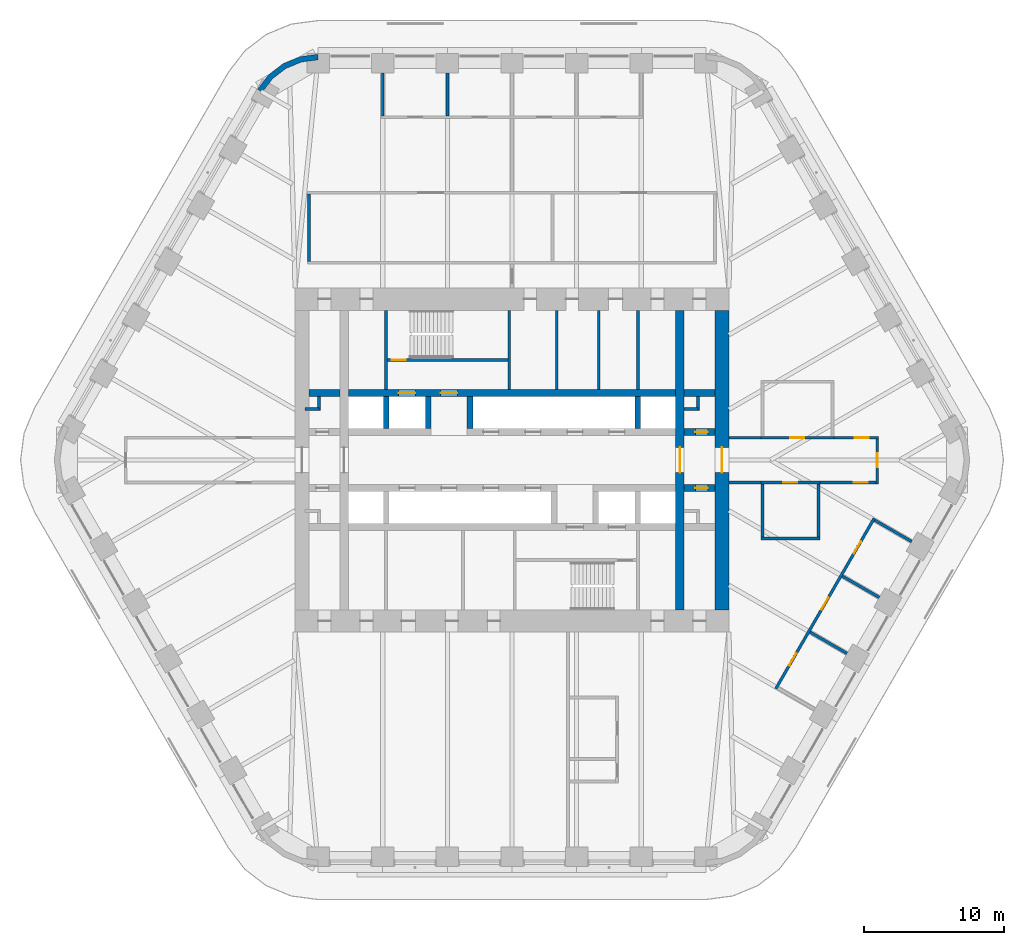
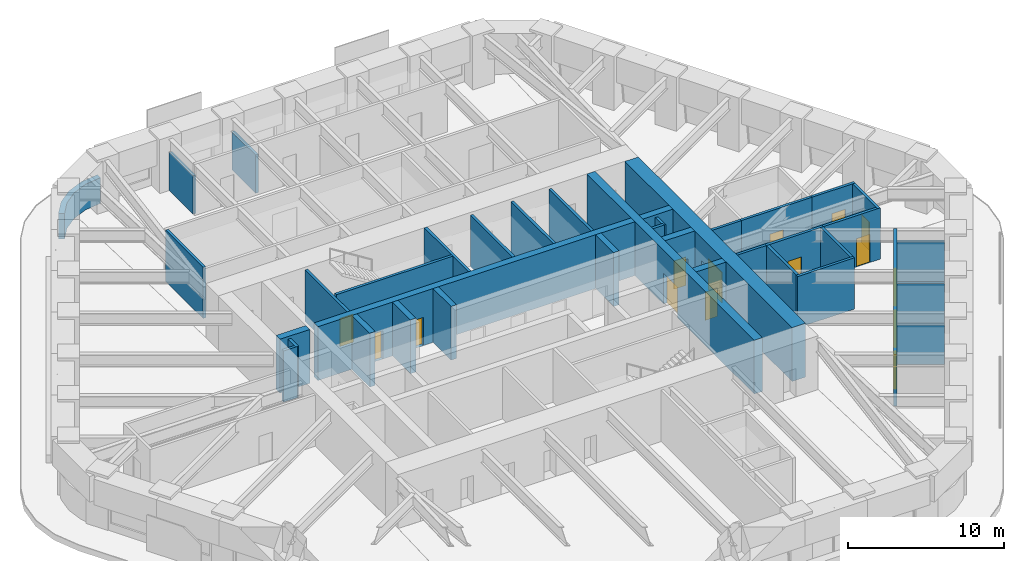
# One storey, part 16 of 20: 39 walls, 15 doors, 15 openings.
"""IFC4 building model written with IfcOpenShell, lengths in metres."""

from ifc_helpers import new_model, si_unit, direction, frame, frame_2d, origin, place, context, subcontext, project, spatial, polyline, rectangle, outline, extrude, material, layer, layer_set, type_object, element, fill, save


model = new_model("IFC4")

# Units and contexts
model_context = context("Model", 3, precision=1e-05, world=origin(), true_north=direction((0.0, 1.0)))
body_context = subcontext(model_context, "Body", "Model", "MODEL_VIEW")
ifc_project = project(units=[si_unit("LENGTHUNIT", "METRE"), si_unit("AREAUNIT", "SQUARE_METRE"), si_unit("VOLUMEUNIT", "CUBIC_METRE"), si_unit("PLANEANGLEUNIT", "RADIAN"), si_unit("MASSUNIT", "GRAM", prefix="KILO")], contexts=[model_context])

# Site, building, storey
site_placement = place(None, origin())
site = spatial("IfcSite", under=ifc_project, at=site_placement, CompositionType="ELEMENT")
building_placement = place(site_placement, origin())
building = spatial("IfcBuilding", under=site, at=building_placement, Name="Tarfa Lantern Tower", CompositionType="ELEMENT")
storey_placement = place(building_placement, frame((0.0, 0.0, 228.10009765625)))
storey = spatial("IfcBuildingStorey", under=building, at=storey_placement, Name="L51", CompositionType="ELEMENT", Elevation=228.10009765625)

# Walls
ifc_material_1 = material(Name="Limestone cladding on blockwork", Category="masonry")
ifc_layer_1 = layer(ifc_material_1, 0.39990234375)
ifc_layer_set_1 = layer_set([ifc_layer_1], Name="EW2 CURVED STONE CORNER 400")
wall_type_1 = type_object("IfcWallType", Name="EW2 CURVED STONE CORNER 400", PredefinedType="SOLIDWALL", material=ifc_layer_set_1)
wall_1_placement = place(storey_placement, origin())
element("IfcWall", 1, at=wall_1_placement, inside=storey, type_object=wall_type_1, Name="Stone corner N-NW", PredefinedType="SOLIDWALL", context=body_context, shape_type="SweptSolid", body=[
    extrude(outline(polyline([(-13.8564453125, 29.0), (-15.150390625, 28.82958984375), (-16.3564453125, 28.330078125), (-17.391845703125, 27.53564453125), (-18.1865234375, 26.5), (-17.840087890625, 26.300048828125), (-17.109130859375, 27.252685546875), (-16.156494140625, 27.983642578125), (-15.046875, 28.443359375), (-13.8564453125, 28.60009765625), (-13.8564453125, 29.0)])), origin(), (0.0, 0.0, 1.0), 2.0),
])
ifc_material_2 = material(Name="Concrete blockwork", Category="masonry")
ifc_layer_2 = layer(ifc_material_2, 0.199951171875)
ifc_layer_set_2 = layer_set([ifc_layer_2], Name="IW1 BLOCKWORK PARTITION 200 EI 120")
wall_type_2 = type_object("IfcWallType", Name="IW1 BLOCKWORK PARTITION 200 EI 120", PredefinedType="PARTITIONING", material=ifc_layer_set_2)
for number, where, z_axis, x_axis, name in (
    (2, (-9.0, 5.050048828125, 0.0), (0.0, 0.0, 1.0), (0.0, 1.0, 0.0), "Core partition"),
    (3, (9.0, 5.050048828125, 0.0), (0.0, 0.0, 1.0), (0.0, 1.0, 0.0), "Core partition"),
    (4, (3.199951171875, 5.050048828125, 0.0), (0.0, 0.0, 1.0), (0.0, 1.0, 0.0), "Core partition"),
    (5, (6.199951171875, 5.050048828125, 0.0), (0.0, 0.0, 1.0), (0.0, 1.0, 0.0), "Core partition"),
):
    element("IfcWall", number, at=place(storey_placement, frame(where, z_axis=z_axis, x_axis=x_axis)), inside=storey, type_object=wall_type_2, Name=name, PredefinedType="PARTITIONING", context=body_context, shape_type="SweptSolid", body=[
        extrude(rectangle(XDim=5.64990234375, YDim=0.199951171875, at=frame_2d((2.824951171875, 0.0))), origin(), (0.0, 0.0, 1.0), 4.0),
    ])
for number, where, z_axis, x_axis, name in (
    (6, (-14.800048828125, 3.64990234375, 0.0), (0.0, 0.0, 1.0), (1.0, 0.0, 0.0), "Core partition"),
    (7, (-13.800048828125, 3.550048828125, 0.0), (0.0, 0.0, 1.0), (0.0, 1.0, 0.0), "Core partition"),
    (8, (12.300048828125, 3.64990234375, 0.0), (0.0, 0.0, 1.0), (1.0, 0.0, 0.0), "Core partition"),
    (9, (13.300048828125, 3.550048828125, 0.0), (0.0, 0.0, 1.0), (0.0, 1.0, 0.0), "Core partition"),
):
    element("IfcWall", number, at=place(storey_placement, frame(where, z_axis=z_axis, x_axis=x_axis)), inside=storey, type_object=wall_type_2, Name=name, PredefinedType="PARTITIONING", context=body_context, shape_type="SweptSolid", body=[
        extrude(rectangle(XDim=1.0, YDim=0.199951171875, at=frame_2d((0.5, 0.0))), origin(), (0.0, 0.0, 1.0), 4.0),
    ])
ifc_material_3 = material(Name="Gypsum board on steel studs", Category="steel")
ifc_layer_3 = layer(ifc_material_3, 0.2099609375)
ifc_layer_set_3 = layer_set([ifc_layer_3], Name="IW2 ACOUSTIC PARTITION 200")
wall_type_3 = type_object("IfcWallType", Name="IW2 ACOUSTIC PARTITION 200", PredefinedType="PARTITIONING", material=ifc_layer_set_3)
wall_2_placement = place(storey_placement, frame((-14.5, 14.199951171875, 0.0), z_axis=(0.0, 0.0, 1.0), x_axis=(0.0, 1.0, 0.0)))
element("IfcWall", 10, at=wall_2_placement, inside=storey, type_object=wall_type_3, Name="Partition", PredefinedType="PARTITIONING", context=body_context, shape_type="SweptSolid", body=[
    extrude(rectangle(XDim=4.800048828125, YDim=0.199951171875, at=frame_2d((2.39990234375, 0.0))), origin(), (0.0, 0.0, 1.0), 4.0),
])
for number, where, z_axis, x_axis, name in (
    (11, (-4.618896484375, 24.60009765625, 0.0), (0.0, 0.0, 1.0), (0.0, 1.0, 0.0), "Partition"),
    (12, (-9.237548828125, 24.60009765625, 0.0), (0.0, 0.0, 1.0), (0.0, 1.0, 0.0), "Partition"),
):
    element("IfcWall", number, at=place(storey_placement, frame(where, z_axis=z_axis, x_axis=x_axis)), inside=storey, type_object=wall_type_3, Name=name, PredefinedType="PARTITIONING", context=body_context, shape_type="SweptSolid", body=[
        extrude(rectangle(XDim=3.0498046875, YDim=0.199951171875, at=frame_2d((1.52490234375, 0.0))), origin(), (0.0, 0.0, 1.0), 2.99169921875),
    ])

# Wall, openings, doors
wall_3_placement = place(storey_placement, frame((18.858154296875, -16.336669921875, 0.0), z_axis=(0.0, 0.0, 1.0), x_axis=(0.500002095642, 0.866024193862, 0.0)))
wall_3 = element("IfcWall", 13, at=wall_3_placement, inside=storey, type_object=wall_type_3, Name="Partition", PredefinedType="PARTITIONING", context=body_context, shape_type="SweptSolid", body=[
    extrude(rectangle(XDim=14.056640625, YDim=0.199951171875, at=frame_2d((7.0283203125, 0.0))), origin(), (0.0, 0.0, 1.0), 4.0),
])
opening_1_placement = place(wall_3_placement, frame((1.909423828125, 0.0, 0.0)))
opening_1 = element("IfcOpeningElement", 14, at=opening_1_placement, cuts=wall_3, Name="Opening D33", PredefinedType="OPENING", context=body_context, shape_type="SweptSolid", body=[
    extrude(rectangle(XDim=1.0, YDim=2.199951171875, at=frame_2d((0.5, 1.10009765625))), frame((0.0, 0.10986328125, 0.0), z_axis=(0.0, -1.0, 0.0), x_axis=(1.0, 0.0, 0.0)), (0.0, 0.0, 1.0), 0.219970703125),
])
opening_2_placement = place(wall_3_placement, frame((6.5283203125, 0.0, 0.0)))
opening_2 = element("IfcOpeningElement", 15, at=opening_2_placement, cuts=wall_3, Name="Opening D34", PredefinedType="OPENING", context=body_context, shape_type="SweptSolid", body=[
    extrude(rectangle(XDim=1.0, YDim=2.199951171875, at=frame_2d((0.5, 1.10009765625))), frame((0.0, 0.10986328125, 0.0), z_axis=(0.0, -1.0, 0.0), x_axis=(1.0, 0.0, 0.0)), (0.0, 0.0, 1.0), 0.219970703125),
])
opening_3_placement = place(wall_3_placement, frame((11.14697265625, 0.0, 0.0)))
opening_3 = element("IfcOpeningElement", 16, at=opening_3_placement, cuts=wall_3, Name="Opening D35", PredefinedType="OPENING", context=body_context, shape_type="SweptSolid", body=[
    extrude(rectangle(XDim=1.0, YDim=2.199951171875, at=frame_2d((0.5, 1.10009765625))), frame((0.0, 0.10986328125, 0.0), z_axis=(0.0, -1.0, 0.0), x_axis=(1.0, 0.0, 0.0)), (0.0, 0.0, 1.0), 0.219970703125),
])
ifc_material_4 = material(Name="Timber door", Category="wood")
door_type_1 = type_object("IfcDoorType", Name="DR1 ROOM DOOR 1000x2200", OperationType="SINGLE_SWING_LEFT", PredefinedType="DOOR", material=ifc_material_4)
door_1_placement = place(opening_1_placement, frame((1.0, 0.0, 0.0), z_axis=(0.0, 0.0, 1.0), x_axis=(-1.0, 0.0, 0.0)))
door_1 = element("IfcDoor", 17, at=door_1_placement, inside=storey, type_object=door_type_1, Name="Office door", OperationType="SINGLE_SWING_LEFT", OverallHeight=2.199951171875, OverallWidth=1.0, PredefinedType="DOOR", context=body_context, shape_type="SweptSolid", body=[
    extrude(rectangle(XDim=1.0, YDim=2.199951171875, at=frame_2d((0.5, 1.10009765625))), frame((0.0, 0.02490234375, 0.0), z_axis=(0.0, -1.0, 0.0), x_axis=(1.0, 0.0, 0.0)), (0.0, 0.0, 1.0), 0.050048828125),
])
fill(opening_1, door_1)
door_2_placement = place(opening_2_placement, frame((1.0, 0.0, 0.0), z_axis=(0.0, 0.0, 1.0), x_axis=(-1.0, 0.0, 0.0)))
door_2 = element("IfcDoor", 18, at=door_2_placement, inside=storey, type_object=door_type_1, Name="Office door", OperationType="SINGLE_SWING_RIGHT", OverallHeight=2.199951171875, OverallWidth=1.0, PredefinedType="DOOR", context=body_context, shape_type="SweptSolid", body=[
    extrude(rectangle(XDim=1.0, YDim=2.199951171875, at=frame_2d((0.5, 1.10009765625))), frame((0.0, 0.02490234375, 0.0), z_axis=(0.0, -1.0, 0.0), x_axis=(1.0, 0.0, 0.0)), (0.0, 0.0, 1.0), 0.050048828125),
])
fill(opening_2, door_2)
door_3_placement = place(opening_3_placement, frame((1.0, 0.0, 0.0), z_axis=(0.0, 0.0, 1.0), x_axis=(-1.0, 0.0, 0.0)))
door_3 = element("IfcDoor", 19, at=door_3_placement, inside=storey, type_object=door_type_1, Name="Office door", OperationType="SINGLE_SWING_RIGHT", OverallHeight=2.199951171875, OverallWidth=1.0, PredefinedType="DOOR", context=body_context, shape_type="SweptSolid", body=[
    extrude(rectangle(XDim=1.0, YDim=2.199951171875, at=frame_2d((0.5, 1.10009765625))), frame((0.0, 0.02490234375, 0.0), z_axis=(0.0, -1.0, 0.0), x_axis=(1.0, 0.0, 0.0)), (0.0, 0.0, 1.0), 0.050048828125),
])
fill(opening_3, door_3)

# Walls
for number, where, z_axis, x_axis, name in (
    (20, (21.30419921875, -12.300048828125, 0.0), (0.0, 0.0, 1.0), (0.866037623948, -0.499978833458, 0.0), "Partition"),
    (21, (23.613525390625, -8.300048828125, 0.0), (0.0, 0.0, 1.0), (0.866037623948, -0.499978833458, 0.0), "Partition"),
    (22, (25.923095703125, -4.300048828125, 0.0), (0.0, 0.0, 1.0), (0.866037623948, -0.499978833458, 0.0), "Partition"),
):
    element("IfcWall", number, at=place(storey_placement, frame(where, z_axis=z_axis, x_axis=x_axis)), inside=storey, type_object=wall_type_3, Name=name, PredefinedType="PARTITIONING", context=body_context, shape_type="SweptSolid", body=[
        extrude(rectangle(XDim=3.050048828125, YDim=0.199951171875, at=frame_2d((1.52490234375, 0.0))), origin(), (0.0, 0.0, 1.0), 3.08154296875),
    ])

# Wall, opening, door
wall_4_placement = place(storey_placement, frame((17.800048828125, 1.60009765625, 0.0), z_axis=(0.0, 0.0, 1.0), x_axis=(1.0, 0.0, 0.0)))
wall_4 = element("IfcWall", 23, at=wall_4_placement, inside=storey, type_object=wall_type_3, Name="Partition", PredefinedType="PARTITIONING", context=body_context, shape_type="SweptSolid", body=[
    extrude(rectangle(XDim=5.199951171875, YDim=0.199951171875, at=frame_2d((2.60009765625, 0.0))), origin(), (0.0, 0.0, 1.0), 4.0),
])
opening_4_placement = place(wall_4_placement, frame((2.10009765625, 0.0, 0.0)))
opening_4 = element("IfcOpeningElement", 24, at=opening_4_placement, cuts=wall_4, Name="Opening D27", PredefinedType="OPENING", context=body_context, shape_type="SweptSolid", body=[
    extrude(rectangle(XDim=1.0, YDim=2.199951171875, at=frame_2d((0.5, 1.10009765625))), frame((0.0, 0.10986328125, 0.0), z_axis=(0.0, -1.0, 0.0), x_axis=(1.0, 0.0, 0.0)), (0.0, 0.0, 1.0), 0.219970703125),
])
door_4_placement = place(opening_4_placement, origin())
door_4 = element("IfcDoor", 25, at=door_4_placement, inside=storey, type_object=door_type_1, Name="Project room door", OperationType="SINGLE_SWING_LEFT", OverallHeight=2.199951171875, OverallWidth=1.0, PredefinedType="DOOR", context=body_context, shape_type="SweptSolid", body=[
    extrude(rectangle(XDim=1.0, YDim=2.199951171875, at=frame_2d((0.5, 1.10009765625))), frame((0.0, 0.02490234375, 0.0), z_axis=(0.0, -1.0, 0.0), x_axis=(1.0, 0.0, 0.0)), (0.0, 0.0, 1.0), 0.050048828125),
])
fill(opening_4, door_4)

wall_5_placement = place(storey_placement, frame((17.800048828125, -1.60009765625, 0.0), z_axis=(0.0, 0.0, 1.0), x_axis=(1.0, 0.0, 0.0)))
wall_5 = element("IfcWall", 26, at=wall_5_placement, inside=storey, type_object=wall_type_3, Name="Partition", PredefinedType="PARTITIONING", context=body_context, shape_type="SweptSolid", body=[
    extrude(rectangle(XDim=4.199951171875, YDim=0.199951171875, at=frame_2d((2.10009765625, 0.0))), origin(), (0.0, 0.0, 1.0), 4.0),
])
opening_5_placement = place(wall_5_placement, frame((1.60009765625, 0.0, 0.0)))
opening_5 = element("IfcOpeningElement", 27, at=opening_5_placement, cuts=wall_5, Name="Opening D28", PredefinedType="OPENING", context=body_context, shape_type="SweptSolid", body=[
    extrude(rectangle(XDim=1.0, YDim=2.199951171875, at=frame_2d((0.5, 1.10009765625))), frame((0.0, 0.10986328125, 0.0), z_axis=(0.0, -1.0, 0.0), x_axis=(1.0, 0.0, 0.0)), (0.0, 0.0, 1.0), 0.219970703125),
])
door_5_placement = place(opening_5_placement, frame((1.0, 0.0, 0.0), z_axis=(0.0, 0.0, 1.0), x_axis=(-1.0, 0.0, 0.0)))
door_5 = element("IfcDoor", 28, at=door_5_placement, inside=storey, type_object=door_type_1, Name="Pantry door", OperationType="SINGLE_SWING_RIGHT", OverallHeight=2.199951171875, OverallWidth=1.0, PredefinedType="DOOR", context=body_context, shape_type="SweptSolid", body=[
    extrude(rectangle(XDim=1.0, YDim=2.199951171875, at=frame_2d((0.5, 1.10009765625))), frame((0.0, 0.02490234375, 0.0), z_axis=(0.0, -1.0, 0.0), x_axis=(1.0, 0.0, 0.0)), (0.0, 0.0, 1.0), 0.050048828125),
])
fill(opening_5, door_5)

# Walls
wall_6_placement = place(storey_placement, frame((17.800048828125, -5.60009765625, 0.0), z_axis=(0.0, 0.0, 1.0), x_axis=(1.0, 0.0, 0.0)))
element("IfcWall", 29, at=wall_6_placement, inside=storey, type_object=wall_type_3, Name="Partition", PredefinedType="PARTITIONING", context=body_context, shape_type="SweptSolid", body=[
    extrude(rectangle(XDim=4.199951171875, YDim=0.199951171875, at=frame_2d((2.10009765625, 0.0))), origin(), (0.0, 0.0, 1.0), 4.0),
])
for number, where, z_axis, x_axis, name in (
    (30, (17.89990234375, -1.699951171875, 0.0), (0.0, 0.0, 1.0), (0.0, -1.0, 0.0), "Partition"),
    (31, (21.89990234375, -1.699951171875, 0.0), (0.0, 0.0, 1.0), (0.0, -1.0, 0.0), "Partition"),
):
    element("IfcWall", number, at=place(storey_placement, frame(where, z_axis=z_axis, x_axis=x_axis)), inside=storey, type_object=wall_type_3, Name=name, PredefinedType="PARTITIONING", context=body_context, shape_type="SweptSolid", body=[
        extrude(rectangle(XDim=3.800048828125, YDim=0.199951171875, at=frame_2d((1.89990234375, 0.0))), origin(), (0.0, 0.0, 1.0), 4.0),
    ])
wall_7_placement = place(storey_placement, frame((15.5, 1.60009765625, 0.0), z_axis=(0.0, 0.0, 1.0), x_axis=(1.0, 0.0, 0.0)))
element("IfcWall", 32, at=wall_7_placement, inside=storey, type_object=wall_type_3, Name="Partition", PredefinedType="PARTITIONING", context=body_context, shape_type="SweptSolid", body=[
    extrude(rectangle(XDim=2.300048828125, YDim=0.199951171875, at=frame_2d((1.14990234375, 0.0))), origin(), (0.0, 0.0, 1.0), 4.0),
])

# Wall, opening, door
wall_8_placement = place(storey_placement, frame((23.0, 1.60009765625, 0.0), z_axis=(0.0, 0.0, 1.0), x_axis=(1.0, 0.0, 0.0)))
wall_8 = element("IfcWall", 33, at=wall_8_placement, inside=storey, type_object=wall_type_3, Name="Partition", PredefinedType="PARTITIONING", context=body_context, shape_type="SweptSolid", body=[
    extrude(rectangle(XDim=3.199951171875, YDim=0.199951171875, at=frame_2d((1.60009765625, 0.0))), origin(), (0.0, 0.0, 1.0), 4.0),
])
opening_6_placement = place(wall_8_placement, frame((1.5, 0.0, 0.0)))
opening_6 = element("IfcOpeningElement", 34, at=opening_6_placement, cuts=wall_8, Name="Opening D41", PredefinedType="OPENING", context=body_context, shape_type="SweptSolid", body=[
    extrude(rectangle(XDim=1.0, YDim=2.199951171875, at=frame_2d((0.5, 1.10009765625))), frame((0.0, 0.10986328125, 0.0), z_axis=(0.0, -1.0, 0.0), x_axis=(1.0, 0.0, 0.0)), (0.0, 0.0, 1.0), 0.219970703125),
])
door_6_placement = place(opening_6_placement, origin())
door_6 = element("IfcDoor", 35, at=door_6_placement, inside=storey, type_object=door_type_1, Name="Corridor door", OperationType="SINGLE_SWING_RIGHT", OverallHeight=2.199951171875, OverallWidth=1.0, PredefinedType="DOOR", context=body_context, shape_type="SweptSolid", body=[
    extrude(rectangle(XDim=1.0, YDim=2.199951171875, at=frame_2d((0.5, 1.10009765625))), frame((0.0, 0.02490234375, 0.0), z_axis=(0.0, -1.0, 0.0), x_axis=(1.0, 0.0, 0.0)), (0.0, 0.0, 1.0), 0.050048828125),
])
fill(opening_6, door_6)

# Wall
wall_9_placement = place(storey_placement, frame((15.5, -1.60009765625, 0.0), z_axis=(0.0, 0.0, 1.0), x_axis=(1.0, 0.0, 0.0)))
element("IfcWall", 36, at=wall_9_placement, inside=storey, type_object=wall_type_3, Name="Partition", PredefinedType="PARTITIONING", context=body_context, shape_type="SweptSolid", body=[
    extrude(rectangle(XDim=2.300048828125, YDim=0.199951171875, at=frame_2d((1.14990234375, 0.0))), origin(), (0.0, 0.0, 1.0), 4.0),
])

# Wall, opening, door
wall_10_placement = place(storey_placement, frame((22.0, -1.60009765625, 0.0), z_axis=(0.0, 0.0, 1.0), x_axis=(1.0, 0.0, 0.0)))
wall_10 = element("IfcWall", 37, at=wall_10_placement, inside=storey, type_object=wall_type_3, Name="Partition", PredefinedType="PARTITIONING", context=body_context, shape_type="SweptSolid", body=[
    extrude(rectangle(XDim=4.199951171875, YDim=0.199951171875, at=frame_2d((2.10009765625, 0.0))), origin(), (0.0, 0.0, 1.0), 4.0),
])
opening_7_placement = place(wall_10_placement, frame((2.43994140625, 0.0, 0.0)))
opening_7 = element("IfcOpeningElement", 38, at=opening_7_placement, cuts=wall_10, Name="Opening D42", PredefinedType="OPENING", context=body_context, shape_type="SweptSolid", body=[
    extrude(rectangle(XDim=1.0, YDim=2.199951171875, at=frame_2d((0.5, 1.10009765625))), frame((0.0, 0.10986328125, 0.0), z_axis=(0.0, -1.0, 0.0), x_axis=(1.0, 0.0, 0.0)), (0.0, 0.0, 1.0), 0.219970703125),
])
door_7_placement = place(opening_7_placement, frame((1.0, 0.0, 0.0), z_axis=(0.0, 0.0, 1.0), x_axis=(-1.0, 0.0, 0.0)))
door_7 = element("IfcDoor", 39, at=door_7_placement, inside=storey, type_object=door_type_1, Name="Corridor door", OperationType="SINGLE_SWING_LEFT", OverallHeight=2.199951171875, OverallWidth=1.0, PredefinedType="DOOR", context=body_context, shape_type="SweptSolid", body=[
    extrude(rectangle(XDim=1.0, YDim=2.199951171875, at=frame_2d((0.5, 1.10009765625))), frame((0.0, 0.02490234375, 0.0), z_axis=(0.0, -1.0, 0.0), x_axis=(1.0, 0.0, 0.0)), (0.0, 0.0, 1.0), 0.050048828125),
])
fill(opening_7, door_7)

wall_11_placement = place(storey_placement, frame((26.10009765625, -1.699951171875, 0.0), z_axis=(0.0, 0.0, 1.0), x_axis=(0.0, 1.0, 0.0)))
wall_11 = element("IfcWall", 40, at=wall_11_placement, inside=storey, type_object=wall_type_3, Name="Partition", PredefinedType="PARTITIONING", context=body_context, shape_type="SweptSolid", body=[
    extrude(rectangle(XDim=3.39990234375, YDim=0.199951171875, at=frame_2d((1.699951171875, 0.0))), origin(), (0.0, 0.0, 1.0), 4.0),
])
opening_8_placement = place(wall_11_placement, frame((1.199951171875, 0.0, 0.0)))
opening_8 = element("IfcOpeningElement", 41, at=opening_8_placement, cuts=wall_11, Name="Opening D40", PredefinedType="OPENING", context=body_context, shape_type="SweptSolid", body=[
    extrude(rectangle(XDim=1.0, YDim=2.199951171875, at=frame_2d((0.5, 1.10009765625))), frame((0.0, 0.10986328125, 0.0), z_axis=(0.0, -1.0, 0.0), x_axis=(1.0, 0.0, 0.0)), (0.0, 0.0, 1.0), 0.219970703125),
])
door_8_placement = place(opening_8_placement, frame((1.0, 0.0, 0.0), z_axis=(0.0, 0.0, 1.0), x_axis=(-1.0, 0.0, 0.0)))
door_8 = element("IfcDoor", 42, at=door_8_placement, inside=storey, type_object=door_type_1, Name="Corridor door", OperationType="SINGLE_SWING_LEFT", OverallHeight=2.199951171875, OverallWidth=1.0, PredefinedType="DOOR", context=body_context, shape_type="SweptSolid", body=[
    extrude(rectangle(XDim=1.0, YDim=2.199951171875, at=frame_2d((0.5, 1.10009765625))), frame((0.0, 0.02490234375, 0.0), z_axis=(0.0, -1.0, 0.0), x_axis=(1.0, 0.0, 0.0)), (0.0, 0.0, 1.0), 0.050048828125),
])
fill(opening_8, door_8)

# Wall
ifc_material_5 = material(Name="Concrete C80/95", Category="concrete")
ifc_layer_4 = layer(ifc_material_5, 0.199951171875)
ifc_layer_set_4 = layer_set([ifc_layer_4], Name="SW12 CORE WALL 200")
wall_type_4 = type_object("IfcWallType", Name="SW12 CORE WALL 200", PredefinedType="SHEAR", material=ifc_layer_set_4)
wall_12_placement = place(storey_placement, frame((-0.199951171875, 5.050048828125, 0.0), z_axis=(0.0, 0.0, 1.0), x_axis=(0.0, 1.0, 0.0)))
element("IfcWall", 43, at=wall_12_placement, inside=storey, type_object=wall_type_4, Name="Core wall stair shaft N", PredefinedType="SHEAR", context=body_context, shape_type="SweptSolid", body=[
    extrude(rectangle(XDim=5.64990234375, YDim=0.199951171875, at=frame_2d((2.824951171875, 0.0))), origin(), (0.0, 0.0, 1.0), 4.199951171875),
])

# Wall, opening, door
wall_13_placement = place(storey_placement, frame((-8.89990234375, 7.14990234375, 0.0), z_axis=(0.0, 0.0, 1.0), x_axis=(1.0, 0.0, 0.0)))
wall_13 = element("IfcWall", 44, at=wall_13_placement, inside=storey, type_object=wall_type_4, Name="Core wall stair partition N", PredefinedType="SHEAR", context=body_context, shape_type="SweptSolid", body=[
    extrude(rectangle(XDim=8.599853515625, YDim=0.199951171875, at=frame_2d((4.2998046875, 0.0))), origin(), (0.0, 0.0, 1.0), 4.199951171875),
])
opening_9_placement = place(wall_13_placement, frame((0.300048828125, 0.0, 0.0)))
opening_9 = element("IfcOpeningElement", 45, at=opening_9_placement, cuts=wall_13, Name="Opening D23", PredefinedType="OPENING", context=body_context, shape_type="SweptSolid", body=[
    extrude(rectangle(XDim=1.0, YDim=2.199951171875, at=frame_2d((0.5, 1.10009765625))), frame((0.0, 0.10986328125, 0.0), z_axis=(0.0, -1.0, 0.0), x_axis=(1.0, 0.0, 0.0)), (0.0, 0.0, 1.0), 0.219970703125),
])
ifc_material_6 = material(Name="Steel fire door", Category="steel")
door_type_2 = type_object("IfcDoorType", Name="DF2 STAIR DOOR 1000x2200", OperationType="SINGLE_SWING_LEFT", PredefinedType="DOOR", material=ifc_material_6)
door_9_placement = place(opening_9_placement, origin())
door_9 = element("IfcDoor", 46, at=door_9_placement, inside=storey, type_object=door_type_2, Name="Stair door", OperationType="SINGLE_SWING_RIGHT", OverallHeight=2.199951171875, OverallWidth=1.0, PredefinedType="DOOR", context=body_context, shape_type="SweptSolid", body=[
    extrude(rectangle(XDim=1.0, YDim=2.199951171875, at=frame_2d((0.5, 1.10009765625))), frame((0.0, 0.02490234375, 0.0), z_axis=(0.0, -1.0, 0.0), x_axis=(1.0, 0.0, 0.0)), (0.0, 0.0, 1.0), 0.050048828125),
])
fill(opening_9, door_9)

ifc_layer_5 = layer(ifc_material_5, 1.0)
ifc_layer_set_5 = layer_set([ifc_layer_5], Name="SW2 CORE WALL 1000")
wall_type_5 = type_object("IfcWallType", Name="SW2 CORE WALL 1000", PredefinedType="SHEAR", material=ifc_layer_set_5)
wall_14_placement = place(storey_placement, frame((15.0, -10.699951171875, 0.0), z_axis=(0.0, 0.0, 1.0), x_axis=(0.0, 1.0, 0.0)))
wall_14 = element("IfcWall", 47, at=wall_14_placement, inside=storey, type_object=wall_type_5, Name="Core wall E", PredefinedType="SHEAR", context=body_context, shape_type="SweptSolid", body=[
    extrude(rectangle(XDim=21.39990234375, YDim=1.0, at=frame_2d((10.699951171875, 0.0))), origin(), (0.0, 0.0, 1.0), 4.199951171875),
])
opening_10_placement = place(wall_14_placement, frame((9.800048828125, 0.0, 0.0)))
opening_10 = element("IfcOpeningElement", 48, at=opening_10_placement, cuts=wall_14, Name="Opening D11", PredefinedType="OPENING", context=body_context, shape_type="SweptSolid", body=[
    extrude(rectangle(XDim=1.800048828125, YDim=2.39990234375, at=frame_2d((0.89990234375, 1.199951171875))), frame((0.0, 0.510009765625, 0.0), z_axis=(0.0, -1.0, 0.0), x_axis=(1.0, 0.0, 0.0)), (0.0, 0.0, 1.0), 1.02001953125),
])
door_type_3 = type_object("IfcDoorType", Name="DL1 LOBBY DOOR 1800x2400", OperationType="DOUBLE_DOOR_SINGLE_SWING", PredefinedType="DOOR", material=ifc_material_6)
door_10_placement = place(opening_10_placement, frame((1.800048828125, 0.0, 0.0), z_axis=(0.0, 0.0, 1.0), x_axis=(-1.0, 0.0, 0.0)))
door_10 = element("IfcDoor", 49, at=door_10_placement, inside=storey, type_object=door_type_3, Name="Lift lobby door", OperationType="DOUBLE_DOOR_SINGLE_SWING", OverallHeight=2.39990234375, OverallWidth=1.800048828125, PredefinedType="DOOR", context=body_context, shape_type="SweptSolid", body=[
    extrude(rectangle(XDim=1.800048828125, YDim=2.39990234375, at=frame_2d((0.89990234375, 1.199951171875))), frame((0.0, 0.02490234375, 0.0), z_axis=(0.0, -1.0, 0.0), x_axis=(1.0, 0.0, 0.0)), (0.0, 0.0, 1.0), 0.050048828125),
])
fill(opening_10, door_10)

ifc_layer_6 = layer(ifc_material_5, 0.5)
ifc_layer_set_6 = layer_set([ifc_layer_6], Name="SW5 CORE WALL 500")
wall_type_6 = type_object("IfcWallType", Name="SW5 CORE WALL 500", PredefinedType="SHEAR", material=ifc_layer_set_6)
wall_15_placement = place(storey_placement, frame((12.300048828125, 2.0, 0.0), z_axis=(0.0, 0.0, 1.0), x_axis=(1.0, 0.0, 0.0)))
wall_15 = element("IfcWall", 50, at=wall_15_placement, inside=storey, type_object=wall_type_6, Name="Core wall lobby east N", PredefinedType="SHEAR", context=body_context, shape_type="SweptSolid", body=[
    extrude(rectangle(XDim=2.199951171875, YDim=0.5, at=frame_2d((1.10009765625, 0.0))), origin(), (0.0, 0.0, 1.0), 4.199951171875),
])
opening_11_placement = place(wall_15_placement, frame((0.800048828125, 0.0, 0.0)))
opening_11 = element("IfcOpeningElement", 51, at=opening_11_placement, cuts=wall_15, Name="Opening D13", PredefinedType="OPENING", context=body_context, shape_type="SweptSolid", body=[
    extrude(rectangle(XDim=0.89990234375, YDim=2.199951171875, at=frame_2d((0.449951171875, 1.10009765625))), frame((0.0, 0.260009765625, 0.0), z_axis=(0.0, -1.0, 0.0), x_axis=(1.0, 0.0, 0.0)), (0.0, 0.0, 1.0), 0.52001953125),
])
door_type_4 = type_object("IfcDoorType", Name="DF6 SERVICE ROOM DOOR 900x2200", OperationType="SINGLE_SWING_LEFT", PredefinedType="DOOR", material=ifc_material_6)
door_11_placement = place(opening_11_placement, origin())
door_11 = element("IfcDoor", 52, at=door_11_placement, inside=storey, type_object=door_type_4, Name="Service room door", OperationType="SINGLE_SWING_LEFT", OverallHeight=2.199951171875, OverallWidth=0.89990234375, PredefinedType="DOOR", context=body_context, shape_type="SweptSolid", body=[
    extrude(rectangle(XDim=0.89990234375, YDim=2.199951171875, at=frame_2d((0.449951171875, 1.10009765625))), frame((0.0, 0.02490234375, 0.0), z_axis=(0.0, -1.0, 0.0), x_axis=(1.0, 0.0, 0.0)), (0.0, 0.0, 1.0), 0.050048828125),
])
fill(opening_11, door_11)

# Wall
wall_16_placement = place(storey_placement, frame((-14.5, 4.800048828125, 0.0), z_axis=(0.0, 0.0, 1.0), x_axis=(1.0, 0.0, 0.0)))
element("IfcWall", 53, at=wall_16_placement, inside=storey, type_object=wall_type_6, Name="Core wall rear N", PredefinedType="SHEAR", context=body_context, shape_type="SweptSolid", body=[
    extrude(rectangle(XDim=2.199951171875, YDim=0.5, at=frame_2d((1.10009765625, 0.0))), origin(), (0.0, 0.0, 1.0), 4.199951171875),
])

# Wall, openings, doors
wall_17_placement = place(storey_placement, frame((-11.699951171875, 4.800048828125, 0.0), z_axis=(0.0, 0.0, 1.0), x_axis=(1.0, 0.0, 0.0)))
wall_17 = element("IfcWall", 54, at=wall_17_placement, inside=storey, type_object=wall_type_6, Name="Core wall rear N", PredefinedType="SHEAR", context=body_context, shape_type="SweptSolid", body=[
    extrude(rectangle(XDim=23.39990234375, YDim=0.5, at=frame_2d((11.699951171875, 0.0))), origin(), (0.0, 0.0, 1.0), 4.199951171875),
])
opening_12_placement = place(wall_17_placement, frame((6.60009765625, 0.0, 0.0)))
opening_12 = element("IfcOpeningElement", 55, at=opening_12_placement, cuts=wall_17, Name="Opening D09", PredefinedType="OPENING", context=body_context, shape_type="SweptSolid", body=[
    extrude(rectangle(XDim=1.199951171875, YDim=2.199951171875, at=frame_2d((0.60009765625, 1.10009765625))), frame((0.0, 0.260009765625, 0.0), z_axis=(0.0, -1.0, 0.0), x_axis=(1.0, 0.0, 0.0)), (0.0, 0.0, 1.0), 0.52001953125),
])
opening_13_placement = place(wall_17_placement, frame((3.60009765625, 0.0, 0.0)))
opening_13 = element("IfcOpeningElement", 56, at=opening_13_placement, cuts=wall_17, Name="Opening LD01", PredefinedType="OPENING", context=body_context, shape_type="SweptSolid", body=[
    extrude(rectangle(XDim=1.199951171875, YDim=2.199951171875, at=frame_2d((0.60009765625, 1.10009765625))), frame((0.0, 0.260009765625, 0.0), z_axis=(0.0, -1.0, 0.0), x_axis=(1.0, 0.0, 0.0)), (0.0, 0.0, 1.0), 0.52001953125),
])
door_type_5 = type_object("IfcDoorType", Name="DF1 FIREFIGHTING LOBBY DOOR 1200x2200", OperationType="SINGLE_SWING_LEFT", PredefinedType="DOOR", material=ifc_material_6)
door_12_placement = place(opening_12_placement, origin())
door_12 = element("IfcDoor", 57, at=door_12_placement, inside=storey, type_object=door_type_5, Name="Firefighting lobby door", OperationType="SINGLE_SWING_LEFT", OverallHeight=2.199951171875, OverallWidth=1.199951171875, PredefinedType="DOOR", context=body_context, shape_type="SweptSolid", body=[
    extrude(rectangle(XDim=1.199951171875, YDim=2.199951171875, at=frame_2d((0.60009765625, 1.10009765625))), frame((0.0, 0.02490234375, 0.0), z_axis=(0.0, -1.0, 0.0), x_axis=(1.0, 0.0, 0.0)), (0.0, 0.0, 1.0), 0.050048828125),
])
fill(opening_12, door_12)
ifc_material_7 = material(Name="Stainless steel lift door", Category="steel")
door_type_6 = type_object("IfcDoorType", Name="LD1 LIFT LANDING DOOR 1200x2200", OperationType="SLIDING_TO_LEFT", PredefinedType="DOOR", material=ifc_material_7)
door_13_placement = place(opening_13_placement, origin())
door_13 = element("IfcDoor", 58, at=door_13_placement, inside=storey, type_object=door_type_6, Name="Landing door FL1", OperationType="SLIDING_TO_LEFT", OverallHeight=2.199951171875, OverallWidth=1.199951171875, PredefinedType="DOOR", context=body_context, shape_type="SweptSolid", body=[
    extrude(rectangle(XDim=1.199951171875, YDim=2.199951171875, at=frame_2d((0.60009765625, 1.10009765625))), frame((0.0, 0.02490234375, 0.0), z_axis=(0.0, -1.0, 0.0), x_axis=(1.0, 0.0, 0.0)), (0.0, 0.0, 1.0), 0.050048828125),
])
fill(opening_13, door_13)

# Wall
wall_18_placement = place(storey_placement, frame((12.300048828125, 4.800048828125, 0.0), z_axis=(0.0, 0.0, 1.0), x_axis=(1.0, 0.0, 0.0)))
element("IfcWall", 59, at=wall_18_placement, inside=storey, type_object=wall_type_6, Name="Core wall rear N", PredefinedType="SHEAR", context=body_context, shape_type="SweptSolid", body=[
    extrude(rectangle(XDim=2.199951171875, YDim=0.5, at=frame_2d((1.10009765625, 0.0))), origin(), (0.0, 0.0, 1.0), 4.199951171875),
])

# Wall, opening, door
wall_19_placement = place(storey_placement, frame((14.5, -2.0, 0.0), z_axis=(0.0, 0.0, 1.0), x_axis=(-1.0, 0.0, 0.0)))
wall_19 = element("IfcWall", 60, at=wall_19_placement, inside=storey, type_object=wall_type_6, Name="Core wall lobby west S", PredefinedType="SHEAR", context=body_context, shape_type="SweptSolid", body=[
    extrude(rectangle(XDim=2.199951171875, YDim=0.5, at=frame_2d((1.10009765625, 0.0))), origin(), (0.0, 0.0, 1.0), 4.199951171875),
])
opening_14_placement = place(wall_19_placement, frame((0.5, 0.0, 0.0)))
opening_14 = element("IfcOpeningElement", 61, at=opening_14_placement, cuts=wall_19, Name="Opening D16", PredefinedType="OPENING", context=body_context, shape_type="SweptSolid", body=[
    extrude(rectangle(XDim=0.89990234375, YDim=2.199951171875, at=frame_2d((0.449951171875, 1.10009765625))), frame((0.0, 0.260009765625, 0.0), z_axis=(0.0, -1.0, 0.0), x_axis=(1.0, 0.0, 0.0)), (0.0, 0.0, 1.0), 0.52001953125),
])
door_14_placement = place(opening_14_placement, origin())
door_14 = element("IfcDoor", 62, at=door_14_placement, inside=storey, type_object=door_type_4, Name="Service room door", OperationType="SINGLE_SWING_RIGHT", OverallHeight=2.199951171875, OverallWidth=0.89990234375, PredefinedType="DOOR", context=body_context, shape_type="SweptSolid", body=[
    extrude(rectangle(XDim=0.89990234375, YDim=2.199951171875, at=frame_2d((0.449951171875, 1.10009765625))), frame((0.0, 0.02490234375, 0.0), z_axis=(0.0, -1.0, 0.0), x_axis=(1.0, 0.0, 0.0)), (0.0, 0.0, 1.0), 0.050048828125),
])
fill(opening_14, door_14)

# Walls
ifc_layer_7 = layer(ifc_material_5, 0.39990234375)
ifc_layer_set_7 = layer_set([ifc_layer_7], Name="SW6 CORE WALL 400")
wall_type_7 = type_object("IfcWallType", Name="SW6 CORE WALL 400", PredefinedType="SHEAR", material=ifc_layer_set_7)
for number, where, z_axis, x_axis, name in (
    (63, (-9.0, 2.25, 0.0), (0.0, 0.0, 1.0), (0.0, 1.0, 0.0), "Core wall divider N"),
    (64, (-6.0, 2.25, 0.0), (0.0, 0.0, 1.0), (0.0, 1.0, 0.0), "Core wall divider N"),
    (65, (-3.0, 2.25, 0.0), (0.0, 0.0, 1.0), (0.0, 1.0, 0.0), "Core wall divider N"),
    (66, (9.0, 2.25, 0.0), (0.0, 0.0, 1.0), (0.0, 1.0, 0.0), "Core wall divider N"),
):
    element("IfcWall", number, at=place(storey_placement, frame(where, z_axis=z_axis, x_axis=x_axis)), inside=storey, type_object=wall_type_7, Name=name, PredefinedType="SHEAR", context=body_context, shape_type="SweptSolid", body=[
        extrude(rectangle(XDim=2.300048828125, YDim=0.39990234375, at=frame_2d((1.14990234375, 0.0))), origin(), (0.0, 0.0, 1.0), 4.199951171875),
    ])

# Wall, opening, door
ifc_layer_8 = layer(ifc_material_5, 0.60009765625)
ifc_layer_set_8 = layer_set([ifc_layer_8], Name="SW9 CORE WALL 600")
wall_type_8 = type_object("IfcWallType", Name="SW9 CORE WALL 600", PredefinedType="SHEAR", material=ifc_layer_set_8)
wall_20_placement = place(storey_placement, frame((12.0, -10.699951171875, 0.0), z_axis=(0.0, 0.0, 1.0), x_axis=(0.0, 1.0, 0.0)))
wall_20 = element("IfcWall", 67, at=wall_20_placement, inside=storey, type_object=wall_type_8, Name="Core wall cross 12 m east", PredefinedType="SHEAR", context=body_context, shape_type="SweptSolid", body=[
    extrude(rectangle(XDim=21.39990234375, YDim=0.60009765625, at=frame_2d((10.699951171875, 0.0))), origin(), (0.0, 0.0, 1.0), 4.199951171875),
])
opening_15_placement = place(wall_20_placement, frame((9.800048828125, 0.0, 0.0)))
opening_15 = element("IfcOpeningElement", 68, at=opening_15_placement, cuts=wall_20, Name="Opening D25", PredefinedType="OPENING", context=body_context, shape_type="SweptSolid", body=[
    extrude(rectangle(XDim=1.800048828125, YDim=2.39990234375, at=frame_2d((0.89990234375, 1.199951171875))), frame((0.0, 0.31005859375, 0.0), z_axis=(0.0, -1.0, 0.0), x_axis=(1.0, 0.0, 0.0)), (0.0, 0.0, 1.0), 0.6201171875),
])
door_15_placement = place(opening_15_placement, origin())
door_15 = element("IfcDoor", 69, at=door_15_placement, inside=storey, type_object=door_type_3, Name="Lift lobby door", OperationType="DOUBLE_DOOR_SINGLE_SWING", OverallHeight=2.39990234375, OverallWidth=1.800048828125, PredefinedType="DOOR", context=body_context, shape_type="SweptSolid", body=[
    extrude(rectangle(XDim=1.800048828125, YDim=2.39990234375, at=frame_2d((0.89990234375, 1.199951171875))), frame((0.0, 0.02490234375, 0.0), z_axis=(0.0, -1.0, 0.0), x_axis=(1.0, 0.0, 0.0)), (0.0, 0.0, 1.0), 0.050048828125),
])
fill(opening_15, door_15)

save(model, "model.ifc")
